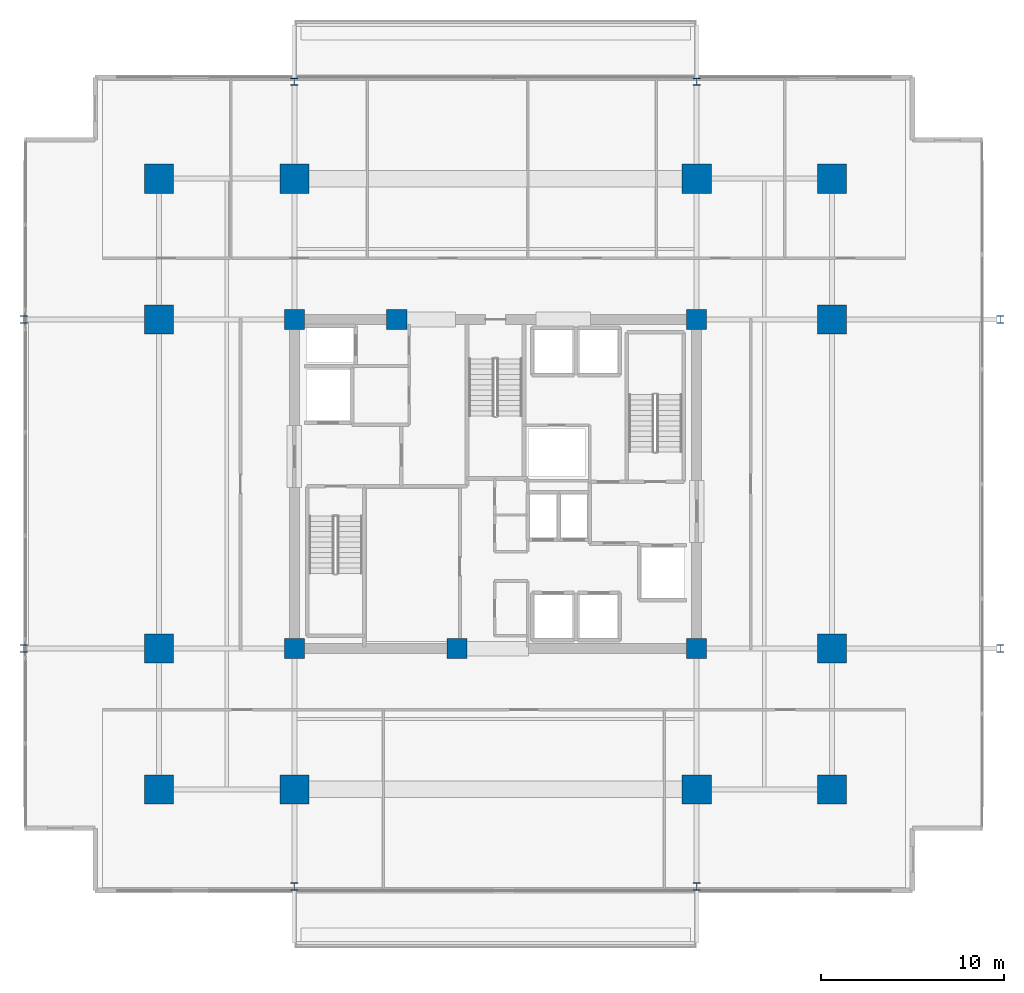
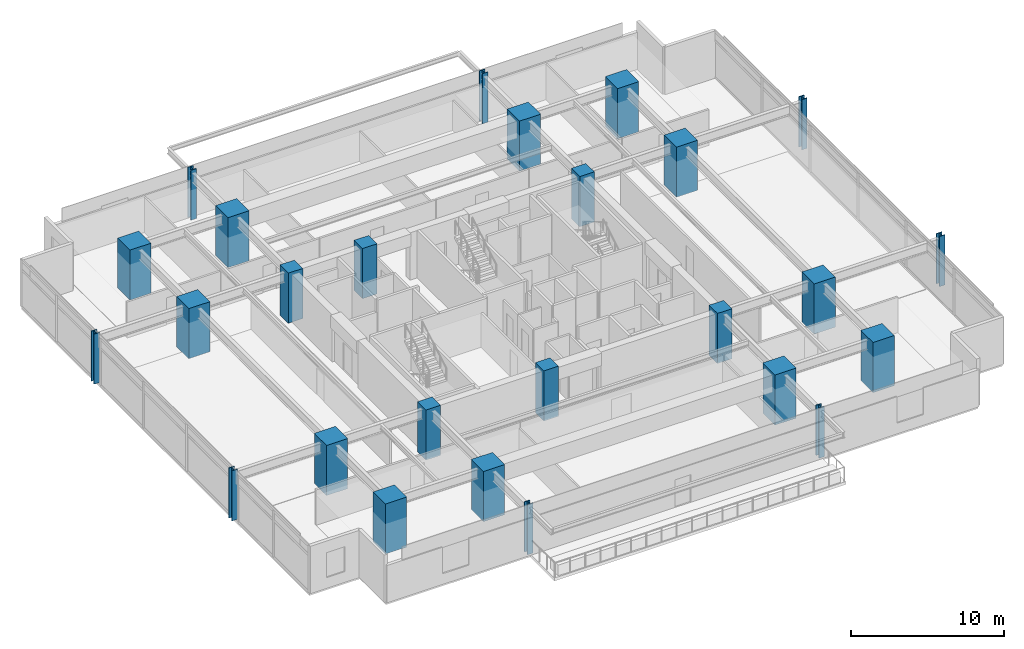
# One storey, part 1 of 21: 26 columns.
"""IFC4 building model written with IfcOpenShell, lengths in metres."""

import ifcopenshell
import ifcopenshell.guid

model = None  # the IFC model being written
_history = None  # IfcOwnerHistory: only IFC2X3 demands one
_inside = {}  # id of a spatial element -> (the spatial element, [elements in it])
_under = {}  # id of a project, library or spatial element -> (it, [spatial elements below it])
_declared = {}  # id of a project -> (the project, [libraries it declares])
_typed = {}  # id of a type object -> (the type object, [elements of that type])
_made_of = {}  # id of a material, layer set ... -> (it, [elements and type objects made of it])


def new_model(schema):
    """Start an empty IFC model of exactly this schema.

    Asked for "IFC4X3", IfcOpenShell would pick the latest addendum, in which some entities
    have other attributes; the version numbers below select the first issue.
    IFC2X3 requires an IfcOwnerHistory on every rooted entity: one is made here for all.
    """
    global model, _history
    if schema == "IFC4X3":
        model = ifcopenshell.file(schema_version=(4, 3, 0, 0))
    else:
        model = ifcopenshell.file(schema=schema)
    _inside.clear()
    _under.clear()
    _declared.clear()
    _typed.clear()
    _made_of.clear()
    _history = None
    if model.schema == "IFC2X3":
        org = make("IfcOrganization", Name="unknown")
        user = make(
            "IfcPersonAndOrganization",
            ThePerson=make("IfcPerson", FamilyName="unknown"),
            TheOrganization=org,
        )
        app = make(
            "IfcApplication",
            ApplicationDeveloper=org,
            Version="unknown",
            ApplicationFullName="unknown",
            ApplicationIdentifier="unknown",
        )
        _history = make(
            "IfcOwnerHistory",
            OwningUser=user,
            OwningApplication=app,
            ChangeAction="ADDED",
            CreationDate=0,
        )
    return model


def make(cls, **values):
    """One entity of the class cls with the attributes given. An attribute that is None is left unset."""
    return model.create_entity(
        cls, **{name: value for name, value in values.items() if value is not None}
    )


def rooted(cls, **values):
    """An entity with a GlobalId (a new one), such as an element, a storey or a relation."""
    return make(cls, GlobalId=ifcopenshell.guid.new(), OwnerHistory=_history, **values)


def si_unit(unit_type, name, prefix=None):
    """IfcSIUnit, for example si_unit("LENGTHUNIT", "METRE", prefix="MILLI")."""
    return make("IfcSIUnit", UnitType=unit_type, Prefix=prefix, Name=name)


def assignment(units):
    """IfcUnitAssignment: the units of a project."""
    return None if units is None else make("IfcUnitAssignment", Units=units)


def point(xyz):
    """IfcCartesianPoint."""
    return None if xyz is None else make("IfcCartesianPoint", Coordinates=xyz)


def direction(xyz):
    """IfcDirection."""
    return None if xyz is None else make("IfcDirection", DirectionRatios=xyz)


def frame(location, z_axis=None, x_axis=None):
    """IfcAxis2Placement3D, a coordinate frame: its origin and axes. An axis left out is left unset."""
    return make(
        "IfcAxis2Placement3D",
        Location=point(location),
        Axis=direction(z_axis),
        RefDirection=direction(x_axis),
    )


def frame_2d(location, x_axis=None):
    """IfcAxis2Placement2D, a coordinate frame in the plane: its origin and x axis."""
    return make(
        "IfcAxis2Placement2D", Location=point(location), RefDirection=direction(x_axis)
    )


def origin():
    """The frame at (0, 0, 0) with its axes left unset."""
    return frame((0.0, 0.0, 0.0))


def origin_2d():
    """The frame at (0, 0) in the plane with its x axis left unset."""
    return frame_2d((0.0, 0.0))


def place(relative_to, where):
    """IfcLocalPlacement: puts the frame where relative to a parent placement (None: the world)."""
    return make(
        "IfcLocalPlacement", PlacementRelTo=relative_to, RelativePlacement=where
    )


def context(
    kind, dimensions, precision=None, world=None, true_north=None, identifier=None
):
    """IfcGeometricRepresentationContext, for example the 3D "Model" context."""
    return make(
        "IfcGeometricRepresentationContext",
        ContextIdentifier=identifier,
        ContextType=kind,
        CoordinateSpaceDimension=dimensions,
        Precision=precision,
        WorldCoordinateSystem=world,
        TrueNorth=true_north,
    )


def subcontext(parent, identifier, kind, view, scale=None):
    """IfcGeometricRepresentationSubContext, for example "Body" below "Model"."""
    return make(
        "IfcGeometricRepresentationSubContext",
        ContextIdentifier=identifier,
        ContextType=kind,
        ParentContext=parent,
        TargetScale=scale,
        TargetView=view,
    )


def project(units=None, contexts=None):
    """IfcProject with its units and contexts."""
    return rooted(
        "IfcProject",
        Name="project",
        RepresentationContexts=contexts,
        UnitsInContext=assignment(units),
    )


def spatial(cls, under=None, at=None, **own):
    """A site, building, storey or space (cls), placed at a placement, below another one or the project."""
    s = rooted(cls, ObjectPlacement=at, **own)
    if under is not None:
        _under.setdefault(under.id(), (under, []))[1].append(s)
    return s


def profile(cls, at=None, kind="AREA", **sizes):
    """A parametric profile (cls). Its sizes go by their IFC names, for example OverallWidth=200.0."""
    return make(cls, ProfileType=kind, Position=at, **sizes)


def rectangle(**sizes):
    """IfcRectangleProfileDef."""
    return profile("IfcRectangleProfileDef", **sizes)


def i_section(**sizes):
    """IfcIShapeProfileDef."""
    return profile("IfcIShapeProfileDef", **sizes)


def extrude(swept, where, along, depth):
    """IfcExtrudedAreaSolid: the profile swept, set in the frame where, extruded along a direction by depth."""
    return make(
        "IfcExtrudedAreaSolid",
        SweptArea=swept,
        Position=where,
        ExtrudedDirection=direction(along),
        Depth=depth,
    )


def shape(context_of_items, identifier, shape_type, items):
    """IfcShapeRepresentation: the items that make up one representation, for example the "Body"."""
    return make(
        "IfcShapeRepresentation",
        ContextOfItems=context_of_items,
        RepresentationIdentifier=identifier,
        RepresentationType=shape_type,
        Items=items,
    )


def material(Name=None, Category=None):
    """IfcMaterial."""
    return make("IfcMaterial", Name=Name, Category=Category)


def material_profile(
    of_material, cross_section, Name=None, Category=None, Priority=None
):
    """IfcMaterialProfile: a cross section and its material."""
    return make(
        "IfcMaterialProfile",
        Name=Name,
        Material=of_material,
        Profile=cross_section,
        Priority=Priority,
        Category=Category,
    )


def profile_set(profiles, Name=None, composite=None):
    """IfcMaterialProfileSet."""
    return make(
        "IfcMaterialProfileSet",
        Name=Name,
        MaterialProfiles=profiles,
        CompositeProfile=composite,
    )


def made_of(thing, what):
    """Note that an element or type object is made of a material, layer set ...; save() writes the relation."""
    if what is not None:
        _made_of.setdefault(what.id(), (what, []))[1].append(thing)
    return thing


def type_object(cls, material=None, **own):
    """A type object (cls), such as IfcWallType, which elements share."""
    return made_of(rooted(cls, **own), material)


def element(
    cls,
    number,
    at=None,
    inside=None,
    cuts=None,
    type_object=None,
    material=None,
    context=None,
    identifier="Body",
    shape_type=None,
    held_by="IfcProductDefinitionShape",
    body=None,
    shapes=None,
    **own,
):
    """One element of the class cls, such as IfcWall. Its Tag is "e" and its number.

    at: its placement. inside: the storey or other place that contains it. cuts: it is an
    opening in that element (IfcRelVoidsElement). A single representation is given by context,
    identifier, shape_type and body (its items); several are given by shapes. held_by: the class
    of the entity that holds the representations. save() writes the other relations.
    """
    e = rooted(cls, Tag="e%d" % number, ObjectPlacement=at, **own)
    if body is not None:
        shapes = [shape(context, identifier, shape_type, body)]
    if shapes is not None:
        e.Representation = make(held_by, Representations=shapes)
    if inside is not None:
        _inside.setdefault(inside.id(), (inside, []))[1].append(e)
    if cuts is not None:
        rooted(
            "IfcRelVoidsElement", RelatingBuildingElement=cuts, RelatedOpeningElement=e
        )
    if type_object is not None:
        _typed.setdefault(type_object.id(), (type_object, []))[1].append(e)
    return made_of(e, material)


def aggregate(whole, parts):
    """IfcRelAggregates: a whole, such as a stair, and the parts it consists of."""
    return rooted("IfcRelAggregates", RelatingObject=whole, RelatedObjects=parts)


def save(model, path):
    """Write the relations noted so far, then the file.

    IfcRelAggregates (storeys below a building ...), IfcRelContainedInSpatialStructure (elements
    in a storey), IfcRelDefinesByType, IfcRelAssociatesMaterial and IfcRelDeclares: one each for
    every whole, place, type object, material and project.
    """
    for whole, parts in _under.values():
        aggregate(whole, parts)
    for where, things in _inside.values():
        rooted(
            "IfcRelContainedInSpatialStructure",
            RelatedElements=things,
            RelatingStructure=where,
        )
    for kind, things in _typed.values():
        rooted("IfcRelDefinesByType", RelatedObjects=things, RelatingType=kind)
    for what, things in _made_of.values():
        rooted("IfcRelAssociatesMaterial", RelatedObjects=things, RelatingMaterial=what)
    for by, libraries in _declared.values():
        rooted("IfcRelDeclares", RelatingContext=by, RelatedDefinitions=libraries)
    model.write(path)


model = new_model("IFC4")

# Units and contexts
model_context = context("Model", 3, precision=1e-05, world=origin(), true_north=direction((0.0, 1.0)))
body_context = subcontext(model_context, "Body", "Model", "MODEL_VIEW")
ifc_project = project(units=[si_unit("LENGTHUNIT", "METRE"), si_unit("AREAUNIT", "SQUARE_METRE"), si_unit("VOLUMEUNIT", "CUBIC_METRE"), si_unit("PLANEANGLEUNIT", "RADIAN"), si_unit("MASSUNIT", "GRAM", prefix="KILO")], contexts=[model_context])

# Site, building, storey
site_placement = place(None, origin())
site = spatial("IfcSite", under=ifc_project, at=site_placement, CompositionType="ELEMENT")
building_placement = place(site_placement, origin())
building = spatial("IfcBuilding", under=site, at=building_placement, Name="Kovane Verandah Tower", CompositionType="ELEMENT")
storey_placement = place(building_placement, frame((0.0, 0.0, 152.39990234375)))
storey = spatial("IfcBuildingStorey", under=building, at=storey_placement, Name="L35", CompositionType="ELEMENT", Elevation=152.39990234375)

# Columns
ifc_material_1 = material(Name="Concrete C80/95", Category="concrete")
ifc_material_profile_1 = material_profile(ifc_material_1, rectangle(XDim=1.60009765625, YDim=1.60009765625, at=origin_2d()), Name="RC1600x1600")
ifc_profile_set_1 = profile_set([ifc_material_profile_1], Name="Concrete C80/95")
column_type_1 = type_object("IfcColumnType", Name="COL-RC1600", PredefinedType="COLUMN", material=ifc_profile_set_1)
for number, where, z_axis, x_axis, name in (
    (1, (29.0, 10.800048828125, 0.0), (0.0, 0.0, 1.0), (1.0, 0.0, 0.0), "L35 Tower Mega-Column MC-S1"),
    (2, (51.0, 10.800048828125, 0.0), (0.0, 0.0, 1.0), (1.0, 0.0, 0.0), "L35 Tower Mega-Column MC-S2"),
    (3, (29.0, 44.199951171875, 0.0), (0.0, 0.0, 1.0), (1.0, 0.0, 0.0), "L35 Tower Mega-Column MC-N1"),
    (4, (51.0, 44.199951171875, 0.0), (0.0, 0.0, 1.0), (1.0, 0.0, 0.0), "L35 Tower Mega-Column MC-N2"),
    (5, (21.60009765625, 18.5, 0.0), (0.0, 0.0, 1.0), (1.0, 0.0, 0.0), "L35 Tower Mega-Column MC-W1"),
    (6, (21.60009765625, 36.5, 0.0), (0.0, 0.0, 1.0), (1.0, 0.0, 0.0), "L35 Tower Mega-Column MC-W2"),
    (7, (58.39990234375, 18.5, 0.0), (0.0, 0.0, 1.0), (1.0, 0.0, 0.0), "L35 Tower Mega-Column MC-E1"),
    (8, (58.39990234375, 36.5, 0.0), (0.0, 0.0, 1.0), (1.0, 0.0, 0.0), "L35 Tower Mega-Column MC-E2"),
    (9, (21.60009765625, 10.800048828125, 0.0), (0.0, 0.0, 1.0), (1.0, 0.0, 0.0), "L35 Tower Mega-Column MC-SW"),
    (10, (58.39990234375, 10.800048828125, 0.0), (0.0, 0.0, 1.0), (1.0, 0.0, 0.0), "L35 Tower Mega-Column MC-SE"),
    (11, (21.60009765625, 44.199951171875, 0.0), (0.0, 0.0, 1.0), (1.0, 0.0, 0.0), "L35 Tower Mega-Column MC-NW"),
    (12, (58.39990234375, 44.199951171875, 0.0), (0.0, 0.0, 1.0), (1.0, 0.0, 0.0), "L35 Tower Mega-Column MC-NE"),
):
    element("IfcColumn", number, at=place(storey_placement, frame(where, z_axis=z_axis, x_axis=x_axis)), inside=storey, type_object=column_type_1, Name=name, PredefinedType="COLUMN", context=body_context, shape_type="SweptSolid", body=[
        extrude(rectangle(XDim=1.60009765625, YDim=1.60009765625, at=origin_2d()), origin(), (0.0, 0.0, 1.0), 4.0),
    ])
ifc_material_2 = material(Name="Steel S460", Category="steel")
ifc_material_profile_2 = material_profile(ifc_material_2, i_section(OverallWidth=0.412109375, OverallDepth=0.4365234375, WebThickness=0.035888671875, FlangeThickness=0.05810546875, FilletRadius=0.01513671875, at=origin_2d()), Name="UC356x406x467")
ifc_profile_set_2 = profile_set([ifc_material_profile_2], Name="Steel S460")
column_type_2 = type_object("IfcColumnType", Name="COL-UC467", PredefinedType="COLUMN", material=ifc_profile_set_2)
for number, where, z_axis, x_axis, name in (
    (13, (14.199951171875, 18.5, 0.0), (0.0, 0.0, 1.0), (1.0, 0.0, 0.0), "L35 Verandah Perimeter Column VC-W1"),
    (14, (14.199951171875, 36.5, 0.0), (0.0, 0.0, 1.0), (1.0, 0.0, 0.0), "L35 Verandah Perimeter Column VC-W2"),
    (15, (67.60009765625, 18.5, 0.0), (0.0, 0.0, 1.0), (1.0, 0.0, 0.0), "L35 Verandah Perimeter Column VC-E1"),
    (16, (67.60009765625, 36.5, 0.0), (0.0, 0.0, 1.0), (1.0, 0.0, 0.0), "L35 Verandah Perimeter Column VC-E2"),
    (17, (29.0, 5.5, 0.0), (0.0, 0.0, 1.0), (1.0, 0.0, 0.0), "L35 Verandah Perimeter Column VC-S1"),
    (18, (51.0, 5.5, 0.0), (0.0, 0.0, 1.0), (1.0, 0.0, 0.0), "L35 Verandah Perimeter Column VC-S2"),
    (19, (29.0, 49.5, 0.0), (0.0, 0.0, 1.0), (1.0, 0.0, 0.0), "L35 Verandah Perimeter Column VC-N1"),
    (20, (51.0, 49.5, 0.0), (0.0, 0.0, 1.0), (1.0, 0.0, 0.0), "L35 Verandah Perimeter Column VC-N2"),
):
    element("IfcColumn", number, at=place(storey_placement, frame(where, z_axis=z_axis, x_axis=x_axis)), inside=storey, type_object=column_type_2, Name=name, PredefinedType="COLUMN", context=body_context, shape_type="SweptSolid", body=[
        extrude(i_section(OverallWidth=0.412109375, OverallDepth=0.4365234375, WebThickness=0.035888671875, FlangeThickness=0.05810546875, FilletRadius=0.01513671875, at=origin_2d()), origin(), (0.0, 0.0, 1.0), 4.0),
    ])
ifc_material_profile_3 = material_profile(ifc_material_1, rectangle(XDim=1.10009765625, YDim=1.10009765625, at=origin_2d()), Name="RC1100x1100")
ifc_profile_set_3 = profile_set([ifc_material_profile_3], Name="Concrete C80/95")
column_type_3 = type_object("IfcColumnType", Name="PIL-RC1100", PredefinedType="PILASTER", material=ifc_profile_set_3)
for number, where, z_axis, x_axis, name in (
    (21, (29.0, 18.5, 0.0), (0.0, 0.0, 1.0), (1.0, 0.0, 0.0), "L35 Core Pilaster CP-SW"),
    (22, (51.0, 18.5, 0.0), (0.0, 0.0, 1.0), (1.0, 0.0, 0.0), "L35 Core Pilaster CP-SE"),
    (23, (29.0, 36.5, 0.0), (0.0, 0.0, 1.0), (1.0, 0.0, 0.0), "L35 Core Pilaster CP-NW"),
    (24, (51.0, 36.5, 0.0), (0.0, 0.0, 1.0), (1.0, 0.0, 0.0), "L35 Core Pilaster CP-NE"),
    (25, (37.89990234375, 18.5, 0.0), (0.0, 0.0, 1.0), (1.0, 0.0, 0.0), "L35 Core Pilaster CP-S"),
    (26, (34.60009765625, 36.5, 0.0), (0.0, 0.0, 1.0), (1.0, 0.0, 0.0), "L35 Core Pilaster CP-N"),
):
    element("IfcColumn", number, at=place(storey_placement, frame(where, z_axis=z_axis, x_axis=x_axis)), inside=storey, type_object=column_type_3, Name=name, PredefinedType="PILASTER", context=body_context, shape_type="SweptSolid", body=[
        extrude(rectangle(XDim=1.10009765625, YDim=1.10009765625, at=origin_2d()), origin(), (0.0, 0.0, 1.0), 4.0),
    ])

save(model, "model.ifc")
